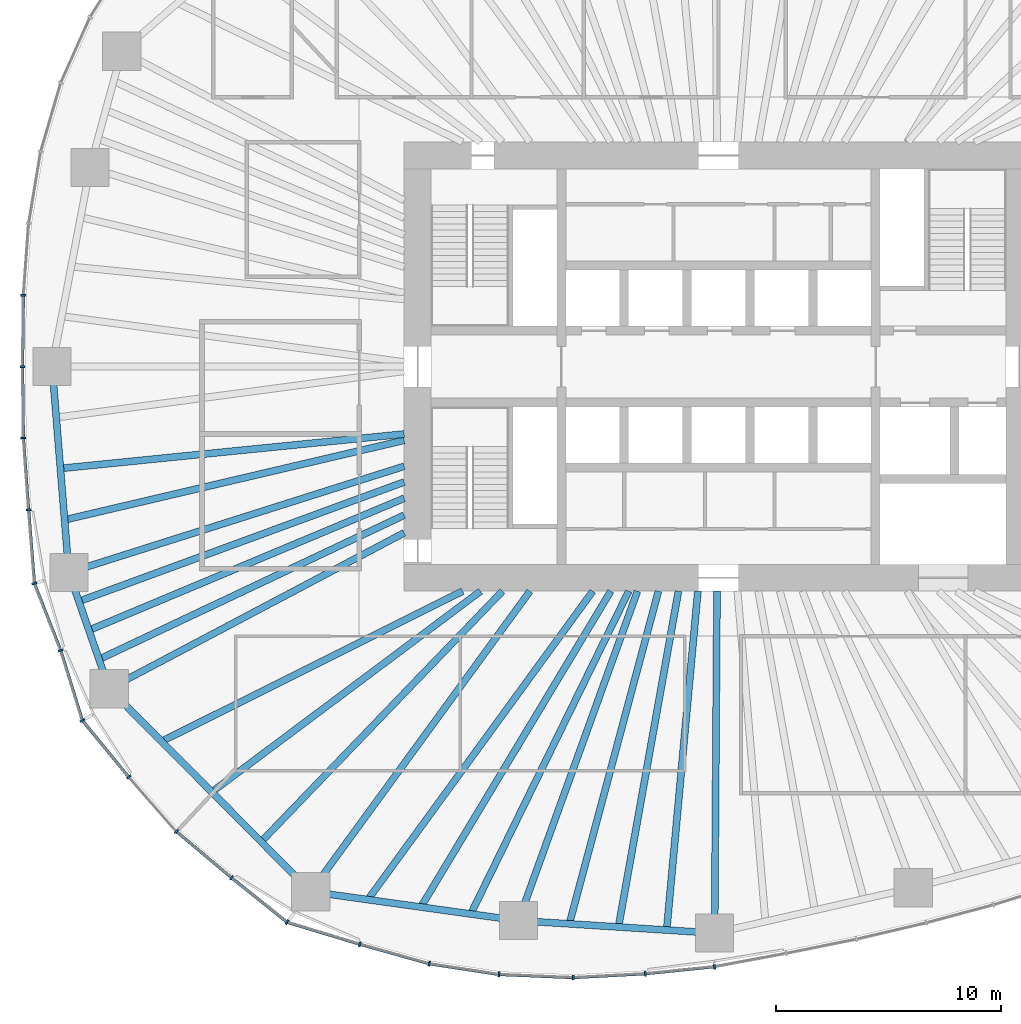
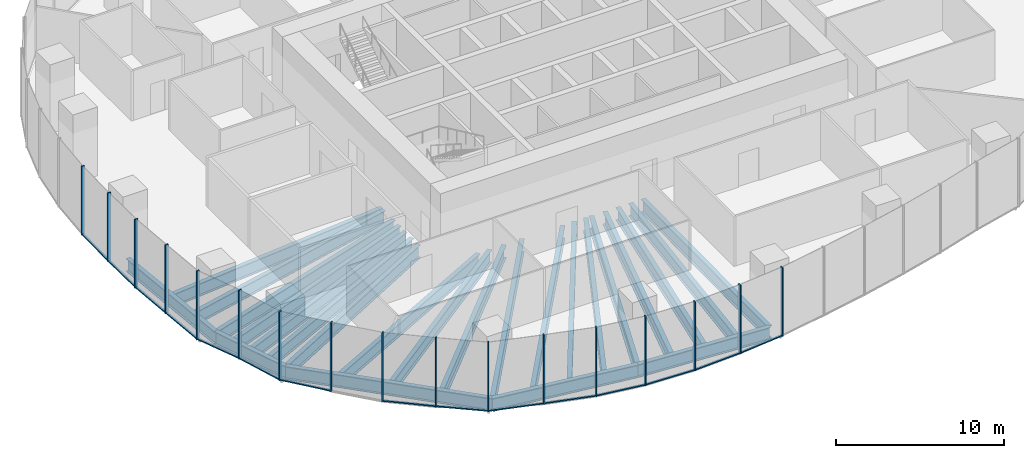
# One storey, part 2 of 20: 32 members, 24 beams, 7 elements without a shape of their own.
"""IFC4 building model written with IfcOpenShell, lengths in metres."""

from ifc_helpers import new_model, si_unit, direction, frame, origin, origin_2d, place, context, subcontext, project, spatial, rectangle, i_section, extrude, material, material_profile, profile_set, type_object, element, aggregate, save


model = new_model("IFC4")

# Units and contexts
model_context = context("Model", 3, precision=1e-05, world=origin(), true_north=direction((0.0, 1.0)))
body_context = subcontext(model_context, "Body", "Model", "MODEL_VIEW")
ifc_project = project(units=[si_unit("LENGTHUNIT", "METRE"), si_unit("AREAUNIT", "SQUARE_METRE"), si_unit("VOLUMEUNIT", "CUBIC_METRE"), si_unit("PLANEANGLEUNIT", "RADIAN"), si_unit("MASSUNIT", "GRAM", prefix="KILO")], contexts=[model_context])

# Site, building, storey
site_placement = place(None, origin())
site = spatial("IfcSite", under=ifc_project, at=site_placement, CompositionType="ELEMENT")
building_placement = place(site_placement, origin())
building = spatial("IfcBuilding", under=site, at=building_placement, Name="Ghaith Harvest Tower", CompositionType="ELEMENT")
storey_placement = place(building_placement, frame((0.0, 0.0, 85.0)))
storey = spatial("IfcBuildingStorey", under=building, at=storey_placement, Name="L17", CompositionType="ELEMENT", Elevation=85.0)

# Curtain wall, member
ifc_material_1 = material(Name="Black anodised aluminium and fritted glass", Category="aluminium")
curtain_wall_type = type_object("IfcCurtainWallType", Name="CW-F CURTAIN WALL", PredefinedType="NOTDEFINED", material=ifc_material_1)
curtain_wall_1_placement = place(storey_placement, origin())
curtain_wall_1 = element("IfcCurtainWall", 1, at=curtain_wall_1_placement, inside=storey, type_object=curtain_wall_type, Name="Curtain wall CW-F bay 10 L17", PredefinedType="NOTDEFINED")
ifc_material_2 = material(Name="Aluminium, black anodised", Category="aluminium")
ifc_material_profile_1 = material_profile(ifc_material_2, rectangle(XDim=0.080078125, YDim=0.219970703125, at=origin_2d()), Name="CW-F MULLION 80x220")
ifc_profile_set_1 = profile_set([ifc_material_profile_1], Name="Aluminium, black anodised")
member_type_1 = type_object("IfcMemberType", Name="CW-F MULLION 80x220", PredefinedType="MULLION", material=ifc_profile_set_1)
member_1_placement = place(storey_placement, frame((-30.95654296875, 3.177978515625, 0.0), z_axis=(0.0, 0.0, 1.0), x_axis=(-0.042427007767, -0.999099569118, 0.0)))
member_1 = element("IfcMember", 2, at=member_1_placement, type_object=member_type_1, Name="CW-F mullion 3 bay 10 L17", PredefinedType="MULLION", context=body_context, shape_type="SweptSolid", body=[
    extrude(rectangle(XDim=0.080078125, YDim=0.219970703125, at=origin_2d()), origin(), (0.0, 0.0, 1.0), 5.0),
])

# Curtain wall, members
curtain_wall_2_placement = place(storey_placement, origin())
curtain_wall_2 = element("IfcCurtainWall", 3, at=curtain_wall_2_placement, inside=storey, type_object=curtain_wall_type, Name="Curtain wall CW-F bay 11 L17", PredefinedType="NOTDEFINED")
member_2_placement = place(storey_placement, frame((-30.9951171875, 0.0, 0.0), z_axis=(0.0, 0.0, 1.0), x_axis=(1.4e-10, -1.0, 0.0)))
member_2 = element("IfcMember", 4, at=member_2_placement, type_object=member_type_1, Name="CW-F mullion 1 bay 11 L17", PredefinedType="MULLION", context=body_context, shape_type="SweptSolid", body=[
    extrude(rectangle(XDim=0.080078125, YDim=0.219970703125, at=origin_2d()), origin(), (0.0, 0.0, 1.0), 5.0),
])
member_3_placement = place(storey_placement, frame((-30.95654296875, -3.177978515625, 0.0), z_axis=(0.0, 0.0, 1.0), x_axis=(0.042427007872, -0.999099569114, 0.0)))
member_3 = element("IfcMember", 5, at=member_3_placement, type_object=member_type_1, Name="CW-F mullion 2 bay 11 L17", PredefinedType="MULLION", context=body_context, shape_type="SweptSolid", body=[
    extrude(rectangle(XDim=0.080078125, YDim=0.219970703125, at=origin_2d()), origin(), (0.0, 0.0, 1.0), 5.0),
])
member_4_placement = place(storey_placement, frame((-30.724365234375, -6.37548828125, 0.0), z_axis=(0.0, 0.0, 1.0), x_axis=(0.07568573288, -0.997131721408, 0.0)))
member_4 = element("IfcMember", 6, at=member_4_placement, type_object=member_type_1, Name="CW-F mullion 3 bay 11 L17", PredefinedType="MULLION", context=body_context, shape_type="SweptSolid", body=[
    extrude(rectangle(XDim=0.080078125, YDim=0.219970703125, at=origin_2d()), origin(), (0.0, 0.0, 1.0), 5.0),
])

curtain_wall_3_placement = place(storey_placement, origin())
curtain_wall_3 = element("IfcCurtainWall", 7, at=curtain_wall_3_placement, inside=storey, type_object=curtain_wall_type, Name="Curtain wall CW-F bay 12 L17", PredefinedType="NOTDEFINED")
member_5_placement = place(storey_placement, frame((-30.46484375, -9.65478515625, 0.0), z_axis=(0.0, 0.0, 1.0), x_axis=(0.222967363441, -0.974825910017, 0.0)))
member_5 = element("IfcMember", 8, at=member_5_placement, type_object=member_type_1, Name="CW-F mullion 1 bay 12 L17", PredefinedType="MULLION", context=body_context, shape_type="SweptSolid", body=[
    extrude(rectangle(XDim=0.080078125, YDim=0.219970703125, at=origin_2d()), origin(), (0.0, 0.0, 1.0), 5.0),
])
member_6_placement = place(storey_placement, frame((-29.29248046875, -12.63525390625, 0.0), z_axis=(0.0, 0.0, 1.0), x_axis=(0.330700518925, -0.943735750506, 0.0)))
member_6 = element("IfcMember", 9, at=member_6_placement, type_object=member_type_1, Name="CW-F mullion 2 bay 12 L17", PredefinedType="MULLION", context=body_context, shape_type="SweptSolid", body=[
    extrude(rectangle(XDim=0.080078125, YDim=0.219970703125, at=origin_2d()), origin(), (0.0, 0.0, 1.0), 5.0),
])
member_7_placement = place(storey_placement, frame((-28.3271484375, -15.7548828125, 0.0), z_axis=(0.0, 0.0, 1.0), x_axis=(0.473265082527, -0.880920065421, 0.0)))
member_7 = element("IfcMember", 10, at=member_7_placement, type_object=member_type_1, Name="CW-F mullion 3 bay 12 L17", PredefinedType="MULLION", context=body_context, shape_type="SweptSolid", body=[
    extrude(rectangle(XDim=0.080078125, YDim=0.219970703125, at=origin_2d()), origin(), (0.0, 0.0, 1.0), 5.0),
])

curtain_wall_4_placement = place(storey_placement, origin())
curtain_wall_4 = element("IfcCurtainWall", 11, at=curtain_wall_4_placement, inside=storey, type_object=curtain_wall_type, Name="Curtain wall CW-F bay 13 L17", PredefinedType="NOTDEFINED")
member_8_placement = place(storey_placement, frame((-26.26318359375, -18.274169921875, 0.0), z_axis=(0.0, 0.0, 1.0), x_axis=(0.646523538748, -0.762894038412, 0.0)))
member_8 = element("IfcMember", 12, at=member_8_placement, type_object=member_type_1, Name="CW-F mullion 1 bay 13 L17", PredefinedType="MULLION", context=body_context, shape_type="SweptSolid", body=[
    extrude(rectangle(XDim=0.080078125, YDim=0.219970703125, at=origin_2d()), origin(), (0.0, 0.0, 1.0), 5.0),
])
member_9_placement = place(storey_placement, frame((-24.139404296875, -20.696533203125, 0.0), z_axis=(0.0, 0.0, 1.0), x_axis=(0.714663248554, -0.699468684907, 0.0)))
member_9 = element("IfcMember", 13, at=member_9_placement, type_object=member_type_1, Name="CW-F mullion 2 bay 13 L17", PredefinedType="MULLION", context=body_context, shape_type="SweptSolid", body=[
    extrude(rectangle(XDim=0.080078125, YDim=0.219970703125, at=origin_2d()), origin(), (0.0, 0.0, 1.0), 5.0),
])
member_10_placement = place(storey_placement, frame((-21.681640625, -22.758056640625, 0.0), z_axis=(0.0, 0.0, 1.0), x_axis=(0.773138721505, -0.634236956751, 0.0)))
member_10 = element("IfcMember", 14, at=member_10_placement, type_object=member_type_1, Name="CW-F mullion 3 bay 13 L17", PredefinedType="MULLION", context=body_context, shape_type="SweptSolid", body=[
    extrude(rectangle(XDim=0.080078125, YDim=0.219970703125, at=origin_2d()), origin(), (0.0, 0.0, 1.0), 5.0),
])

curtain_wall_5_placement = place(storey_placement, origin())
curtain_wall_5 = element("IfcCurtainWall", 15, at=curtain_wall_5_placement, inside=storey, type_object=curtain_wall_type, Name="Curtain wall CW-F bay 14 L17", PredefinedType="NOTDEFINED")
member_11_placement = place(storey_placement, frame((-19.212646484375, -24.73828125, 0.0), z_axis=(0.0, 0.0, 1.0), x_axis=(0.887912253774, -0.460012858079, 0.0)))
member_11 = element("IfcMember", 16, at=member_11_placement, type_object=member_type_1, Name="CW-F mullion 1 bay 14 L17", PredefinedType="MULLION", context=body_context, shape_type="SweptSolid", body=[
    extrude(rectangle(XDim=0.080078125, YDim=0.219970703125, at=origin_2d()), origin(), (0.0, 0.0, 1.0), 5.0),
])
member_12_placement = place(storey_placement, frame((-15.97119140625, -25.716552734375, 0.0), z_axis=(0.0, 0.0, 1.0), x_axis=(0.960008876539, -0.279969564356, 0.0)))
member_12 = element("IfcMember", 17, at=member_12_placement, type_object=member_type_1, Name="CW-F mullion 2 bay 14 L17", PredefinedType="MULLION", context=body_context, shape_type="SweptSolid", body=[
    extrude(rectangle(XDim=0.080078125, YDim=0.219970703125, at=origin_2d()), origin(), (0.0, 0.0, 1.0), 5.0),
])
member_13_placement = place(storey_placement, frame((-12.880615234375, -26.5849609375, 0.0), z_axis=(0.0, 0.0, 1.0), x_axis=(0.977207016024, -0.212288595628, 0.0)))
member_13 = element("IfcMember", 18, at=member_13_placement, type_object=member_type_1, Name="CW-F mullion 3 bay 14 L17", PredefinedType="MULLION", context=body_context, shape_type="SweptSolid", body=[
    extrude(rectangle(XDim=0.080078125, YDim=0.219970703125, at=origin_2d()), origin(), (0.0, 0.0, 1.0), 5.0),
])

curtain_wall_6_placement = place(storey_placement, origin())
curtain_wall_6 = element("IfcCurtainWall", 19, at=curtain_wall_6_placement, inside=storey, type_object=curtain_wall_type, Name="Curtain wall CW-F bay 15 L17", PredefinedType="NOTDEFINED")
member_14_placement = place(storey_placement, frame((-9.7744140625, -27.062744140625, 0.0), z_axis=(0.0, 0.0, 1.0), x_axis=(0.995408459417, -0.095718331168, 0.0)))
member_14 = element("IfcMember", 20, at=member_14_placement, type_object=member_type_1, Name="CW-F mullion 1 bay 15 L17", PredefinedType="MULLION", context=body_context, shape_type="SweptSolid", body=[
    extrude(rectangle(XDim=0.080078125, YDim=0.219970703125, at=origin_2d()), origin(), (0.0, 0.0, 1.0), 5.0),
])
member_15_placement = place(storey_placement, frame((-6.465087890625, -27.20166015625, 0.0), z_axis=(0.0, 0.0, 1.0), x_axis=(0.999987206373, 0.005058368251, 0.0)))
member_15 = element("IfcMember", 21, at=member_15_placement, type_object=member_type_1, Name="CW-F mullion 2 bay 15 L17", PredefinedType="MULLION", context=body_context, shape_type="SweptSolid", body=[
    extrude(rectangle(XDim=0.080078125, YDim=0.219970703125, at=origin_2d()), origin(), (0.0, 0.0, 1.0), 5.0),
])
member_16_placement = place(storey_placement, frame((-3.261962890625, -27.02978515625, 0.0), z_axis=(0.0, 0.0, 1.0), x_axis=(0.997037536276, 0.07691652135, 0.0)))
member_16 = element("IfcMember", 22, at=member_16_placement, type_object=member_type_1, Name="CW-F mullion 3 bay 15 L17", PredefinedType="MULLION", context=body_context, shape_type="SweptSolid", body=[
    extrude(rectangle(XDim=0.080078125, YDim=0.219970703125, at=origin_2d()), origin(), (0.0, 0.0, 1.0), 5.0),
])

# Curtain wall, member
curtain_wall_7_placement = place(storey_placement, origin())
curtain_wall_7 = element("IfcCurtainWall", 23, at=curtain_wall_7_placement, inside=storey, type_object=curtain_wall_type, Name="Curtain wall CW-F bay 16 L17", PredefinedType="NOTDEFINED")
member_17_placement = place(storey_placement, frame((-0.182861328125, -26.717041015625, 0.0), z_axis=(0.0, 0.0, 1.0), x_axis=(0.98971187144, 0.143074845907, 0.0)))
member_17 = element("IfcMember", 24, at=member_17_placement, type_object=member_type_1, Name="CW-F mullion 1 bay 16 L17", PredefinedType="MULLION", context=body_context, shape_type="SweptSolid", body=[
    extrude(rectangle(XDim=0.080078125, YDim=0.219970703125, at=origin_2d()), origin(), (0.0, 0.0, 1.0), 5.0),
])
aggregate(curtain_wall_7, [member_17])

# Member
ifc_material_3 = material(Name="Aluminium, black anodised", Category="aluminium")
ifc_material_profile_2 = material_profile(ifc_material_3, rectangle(XDim=0.139892578125, YDim=0.080078125, at=origin_2d()), Name="CW-F TRANSOM 140x80")
ifc_profile_set_2 = profile_set([ifc_material_profile_2], Name="Aluminium, black anodised")
member_type_2 = type_object("IfcMemberType", Name="CW-F TRANSOM 140x80", PredefinedType="USERDEFINED", material=ifc_profile_set_2)
member_18_placement = place(storey_placement, frame((-30.95703125, 3.137939453125, 0.0400390625), z_axis=(-0.012135602457, -0.999926360865, 0.0), x_axis=(0.999926360865, -0.012135602457, 0.0)))
member_18 = element("IfcMember", 25, at=member_18_placement, type_object=member_type_2, Name="CW-F transom 3 bay 10 L17", ObjectType="TRANSOM", PredefinedType="USERDEFINED", context=body_context, shape_type="SweptSolid", body=[
    extrude(rectangle(XDim=0.139892578125, YDim=0.080078125, at=origin_2d()), origin(), (0.0, 0.0, 1.0), 3.09814453125),
])

aggregate(curtain_wall_1, [member_1, member_18])

member_19_placement = place(storey_placement, frame((-30.99462890625, -0.0400390625, 0.0400390625), z_axis=(0.012135602457, -0.999926360865, 0.0), x_axis=(0.999926360865, 0.012135602457, 0.0)))
member_19 = element("IfcMember", 26, at=member_19_placement, type_object=member_type_2, Name="CW-F transom 1 bay 11 L17", ObjectType="TRANSOM", PredefinedType="USERDEFINED", context=body_context, shape_type="SweptSolid", body=[
    extrude(rectangle(XDim=0.139892578125, YDim=0.080078125, at=origin_2d()), origin(), (0.0, 0.0, 1.0), 3.09814453125),
])

member_20_placement = place(storey_placement, frame((-30.95361328125, -3.2177734375, 0.0400390625), z_axis=(0.072473547161, -0.997370334912, 0.0), x_axis=(0.997370334912, 0.072473547161, 0.0)))
member_20 = element("IfcMember", 27, at=member_20_placement, type_object=member_type_2, Name="CW-F transom 2 bay 11 L17", ObjectType="TRANSOM", PredefinedType="USERDEFINED", context=body_context, shape_type="SweptSolid", body=[
    extrude(rectangle(XDim=0.139892578125, YDim=0.080078125, at=origin_2d()), origin(), (0.0, 0.0, 1.0), 3.126220703125),
])

member_21_placement = place(storey_placement, frame((-30.72119140625, -6.415283203125, 0.0400390625), z_axis=(0.078877539502, -0.996884313129, 0.0), x_axis=(0.996884313129, 0.078877539502, 0.0)))
member_21 = element("IfcMember", 28, at=member_21_placement, type_object=member_type_2, Name="CW-F transom 3 bay 11 L17", ObjectType="TRANSOM", PredefinedType="USERDEFINED", context=body_context, shape_type="SweptSolid", body=[
    extrude(rectangle(XDim=0.139892578125, YDim=0.080078125, at=origin_2d()), origin(), (0.0, 0.0, 1.0), 3.209716796875),
])

aggregate(curtain_wall_2, [member_2, member_19, member_3, member_20, member_4, member_21])

member_22_placement = place(storey_placement, frame((-30.4501953125, -9.692138671875, 0.0400390625), z_axis=(0.366046617161, -0.93059651518, 0.0), x_axis=(0.93059651518, 0.366046617161, 0.0)))
member_22 = element("IfcMember", 29, at=member_22_placement, type_object=member_type_2, Name="CW-F transom 1 bay 12 L17", ObjectType="TRANSOM", PredefinedType="USERDEFINED", context=body_context, shape_type="SweptSolid", body=[
    extrude(rectangle(XDim=0.139892578125, YDim=0.080078125, at=origin_2d()), origin(), (0.0, 0.0, 1.0), 3.122802734375),
])

member_23_placement = place(storey_placement, frame((-29.28076171875, -12.673583984375, 0.0400390625), z_axis=(0.295598800908, -0.955312173534, 0.0), x_axis=(0.955312173534, 0.295598800908, 0.0)))
member_23 = element("IfcMember", 30, at=member_23_placement, type_object=member_type_2, Name="CW-F transom 2 bay 12 L17", ObjectType="TRANSOM", PredefinedType="USERDEFINED", context=body_context, shape_type="SweptSolid", body=[
    extrude(rectangle(XDim=0.139892578125, YDim=0.080078125, at=origin_2d()), origin(), (0.0, 0.0, 1.0), 3.185546875),
])

member_24_placement = place(storey_placement, frame((-28.302001953125, -15.785888671875, 0.0400390625), z_axis=(0.633790042943, -0.773505126982, 0.0), x_axis=(0.773505126982, 0.633790042943, 0.0)))
member_24 = element("IfcMember", 31, at=member_24_placement, type_object=member_type_2, Name="CW-F transom 3 bay 12 L17", ObjectType="TRANSOM", PredefinedType="USERDEFINED", context=body_context, shape_type="SweptSolid", body=[
    extrude(rectangle(XDim=0.139892578125, YDim=0.080078125, at=origin_2d()), origin(), (0.0, 0.0, 1.0), 3.1767578125),
])

aggregate(curtain_wall_3, [member_5, member_22, member_6, member_23, member_7, member_24])

member_25_placement = place(storey_placement, frame((-24.10888671875, -20.72216796875, 0.0400390625), z_axis=(0.766144434184, -0.642668426149, 0.0), x_axis=(0.642668426149, 0.766144434184, 0.0)))
member_25 = element("IfcMember", 32, at=member_25_placement, type_object=member_type_2, Name="CW-F transom 2 bay 13 L17", ObjectType="TRANSOM", PredefinedType="USERDEFINED", context=body_context, shape_type="SweptSolid", body=[
    extrude(rectangle(XDim=0.139892578125, YDim=0.080078125, at=origin_2d()), origin(), (0.0, 0.0, 1.0), 3.1279296875),
])

member_26_placement = place(storey_placement, frame((-21.650634765625, -22.783203125, 0.0400390625), z_axis=(0.780181223133, -0.625553562112, 0.0), x_axis=(0.625553562112, 0.780181223133, 0.0)))
member_26 = element("IfcMember", 33, at=member_26_placement, type_object=member_type_2, Name="CW-F transom 3 bay 13 L17", ObjectType="TRANSOM", PredefinedType="USERDEFINED", context=body_context, shape_type="SweptSolid", body=[
    extrude(rectangle(XDim=0.139892578125, YDim=0.080078125, at=origin_2d()), origin(), (0.0, 0.0, 1.0), 3.085205078125),
])

aggregate(curtain_wall_4, [member_8, member_9, member_25, member_10, member_26])

member_27_placement = place(storey_placement, frame((-19.17431640625, -24.749755859375, 0.0400390625), z_axis=(0.957335035376, -0.288980328121, 0.0), x_axis=(0.288980328121, 0.957335035376, 0.0)))
member_27 = element("IfcMember", 34, at=member_27_placement, type_object=member_type_2, Name="CW-F transom 1 bay 14 L17", ObjectType="TRANSOM", PredefinedType="USERDEFINED", context=body_context, shape_type="SweptSolid", body=[
    extrude(rectangle(XDim=0.139892578125, YDim=0.080078125, at=origin_2d()), origin(), (0.0, 0.0, 1.0), 3.305908203125),
])

member_28_placement = place(storey_placement, frame((-15.9326171875, -25.727294921875, 0.0400390625), z_axis=(0.962727128991, -0.270474536888, 0.0), x_axis=(0.270474536888, 0.962727128991, 0.0)))
member_28 = element("IfcMember", 35, at=member_28_placement, type_object=member_type_2, Name="CW-F transom 2 bay 14 L17", ObjectType="TRANSOM", PredefinedType="USERDEFINED", context=body_context, shape_type="SweptSolid", body=[
    extrude(rectangle(XDim=0.139892578125, YDim=0.080078125, at=origin_2d()), origin(), (0.0, 0.0, 1.0), 3.13037109375),
])

member_29_placement = place(storey_placement, frame((-12.841064453125, -26.591064453125, 0.0400390625), z_axis=(0.988378147633, -0.152015253451, 0.0), x_axis=(0.152015253451, 0.988378147633, 0.0)))
member_29 = element("IfcMember", 36, at=member_29_placement, type_object=member_type_2, Name="CW-F transom 3 bay 14 L17", ObjectType="TRANSOM", PredefinedType="USERDEFINED", context=body_context, shape_type="SweptSolid", body=[
    extrude(rectangle(XDim=0.139892578125, YDim=0.080078125, at=origin_2d()), origin(), (0.0, 0.0, 1.0), 3.062744140625),
])

aggregate(curtain_wall_5, [member_11, member_27, member_12, member_28, member_13, member_29])

member_30_placement = place(storey_placement, frame((-9.734375, -27.064453125, 0.0400390625), z_axis=(0.999117688764, -0.04199814281, 0.0), x_axis=(0.04199814281, 0.999117688764, 0.0)))
member_30 = element("IfcMember", 37, at=member_30_placement, type_object=member_type_2, Name="CW-F transom 1 bay 15 L17", ObjectType="TRANSOM", PredefinedType="USERDEFINED", context=body_context, shape_type="SweptSolid", body=[
    extrude(rectangle(XDim=0.139892578125, YDim=0.080078125, at=origin_2d()), origin(), (0.0, 0.0, 1.0), 3.232177734375),
])

member_31_placement = place(storey_placement, frame((-6.42529296875, -27.19970703125, 0.0400390625), z_axis=(0.99856142387, 0.053619798202, 0.0), x_axis=(-0.053619798202, 0.99856142387, 0.0)))
member_31 = element("IfcMember", 38, at=member_31_placement, type_object=member_type_2, Name="CW-F transom 2 bay 15 L17", ObjectType="TRANSOM", PredefinedType="USERDEFINED", context=body_context, shape_type="SweptSolid", body=[
    extrude(rectangle(XDim=0.139892578125, YDim=0.080078125, at=origin_2d()), origin(), (0.0, 0.0, 1.0), 3.1279296875),
])

member_32_placement = place(storey_placement, frame((-3.22216796875, -27.02587890625, 0.0400390625), z_axis=(0.994880435036, 0.101058992587, 0.0), x_axis=(-0.101058992587, 0.994880435036, 0.0)))
member_32 = element("IfcMember", 39, at=member_32_placement, type_object=member_type_2, Name="CW-F transom 3 bay 15 L17", ObjectType="TRANSOM", PredefinedType="USERDEFINED", context=body_context, shape_type="SweptSolid", body=[
    extrude(rectangle(XDim=0.139892578125, YDim=0.080078125, at=origin_2d()), origin(), (0.0, 0.0, 1.0), 3.014892578125),
])

aggregate(curtain_wall_6, [member_14, member_30, member_15, member_31, member_16, member_32])

# Beams
ifc_material_4 = material(Name="Steel ASTM A992 Grade 50", Category="steel")
ifc_material_profile_3 = material_profile(ifc_material_4, i_section(OverallWidth=0.306884765625, OverallDepth=0.94189453125, WebThickness=0.022216796875, FlangeThickness=0.039794921875, at=origin_2d()), Name="W920X345")
ifc_profile_set_3 = profile_set([ifc_material_profile_3], Name="Steel ASTM A992 Grade 50")
beam_type_1 = type_object("IfcBeamType", Name="E920-345 W920X345", PredefinedType="SPANDREL", material=ifc_profile_set_3)
beam_1_placement = place(storey_placement, frame((-29.675048828125, 0.0, -0.6708984375), z_axis=(0.081006863421, -0.996713543642, 0.0), x_axis=(0.996713543642, 0.081006863421, 0.0)))
element("IfcBeam", 40, at=beam_1_placement, inside=storey, type_object=beam_type_1, Name="Edge beam E11 L17", PredefinedType="SPANDREL", context=body_context, shape_type="SweptSolid", body=[
    extrude(i_section(OverallWidth=0.306884765625, OverallDepth=0.94189453125, WebThickness=0.022216796875, FlangeThickness=0.039794921875, at=origin_2d()), origin(), (0.0, 0.0, 1.0), 9.1982421875),
])
beam_2_placement = place(storey_placement, frame((-28.929931640625, -9.16796875, -0.6708984375), z_axis=(0.328278550319, -0.944580961803, 0.0), x_axis=(0.944580961803, 0.328278550319, 0.0)))
element("IfcBeam", 41, at=beam_2_placement, inside=storey, type_object=beam_type_1, Name="Edge beam E12 L17", PredefinedType="SPANDREL", context=body_context, shape_type="SweptSolid", body=[
    extrude(i_section(OverallWidth=0.306884765625, OverallDepth=0.94189453125, WebThickness=0.022216796875, FlangeThickness=0.039794921875, at=origin_2d()), origin(), (0.0, 0.0, 1.0), 5.4765625),
])
beam_3_placement = place(storey_placement, frame((-27.132080078125, -14.341064453125, -0.6708984375), z_axis=(0.704562513714, -0.709641926798, 0.0), x_axis=(0.709641926798, 0.704562513714, 0.0)))
element("IfcBeam", 42, at=beam_3_placement, inside=storey, type_object=beam_type_1, Name="Edge beam E13 L17", PredefinedType="SPANDREL", context=body_context, shape_type="SweptSolid", body=[
    extrude(i_section(OverallWidth=0.306884765625, OverallDepth=0.94189453125, WebThickness=0.022216796875, FlangeThickness=0.039794921875, at=origin_2d()), origin(), (0.0, 0.0, 1.0), 12.737060546875),
])
beam_4_placement = place(storey_placement, frame((-18.157958984375, -23.3798828125, -0.6708984375), z_axis=(0.990441143901, -0.137936001352, 0.0), x_axis=(0.137936001352, 0.990441143901, 0.0)))
element("IfcBeam", 43, at=beam_4_placement, inside=storey, type_object=beam_type_1, Name="Edge beam E14 L17", PredefinedType="SPANDREL", context=body_context, shape_type="SweptSolid", body=[
    extrude(i_section(OverallWidth=0.306884765625, OverallDepth=0.94189453125, WebThickness=0.022216796875, FlangeThickness=0.039794921875, at=origin_2d()), origin(), (0.0, 0.0, 1.0), 9.33837890625),
])
beam_5_placement = place(storey_placement, frame((-8.908935546875, -24.66796875, -0.6708984375), z_axis=(0.99797963184, -0.063534671101, 0.0), x_axis=(0.063534671101, 0.99797963184, 0.0)))
element("IfcBeam", 44, at=beam_5_placement, inside=storey, type_object=beam_type_1, Name="Edge beam E15 L17", PredefinedType="SPANDREL", context=body_context, shape_type="SweptSolid", body=[
    extrude(i_section(OverallWidth=0.306884765625, OverallDepth=0.94189453125, WebThickness=0.022216796875, FlangeThickness=0.039794921875, at=origin_2d()), origin(), (0.0, 0.0, 1.0), 8.75341796875),
])
ifc_material_5 = material(Name="Steel ASTM A992 Grade 50", Category="steel")
ifc_material_profile_4 = material_profile(ifc_material_5, i_section(OverallWidth=0.306884765625, OverallDepth=0.94189453125, WebThickness=0.022216796875, FlangeThickness=0.039794921875, at=origin_2d()), Name="W920X345")
ifc_profile_set_4 = profile_set([ifc_material_profile_4], Name="Steel ASTM A992 Grade 50")
beam_type_2 = type_object("IfcBeamType", Name="G920-345 W920X345", PredefinedType="BEAM", material=ifc_profile_set_4)
beam_6_placement = place(storey_placement, frame((-14.0, -4.43701171875, -0.6708984375), z_axis=(-0.953284407194, -0.302074227636, 0.0), x_axis=(0.302074227636, -0.953284407194, 0.0)))
element("IfcBeam", 45, at=beam_6_placement, inside=storey, type_object=beam_type_2, Name="Radial girder G12 L17", PredefinedType="BEAM", context=body_context, shape_type="SweptSolid", body=[
    extrude(i_section(OverallWidth=0.306884765625, OverallDepth=0.94189453125, WebThickness=0.022216796875, FlangeThickness=0.039794921875, at=origin_2d()), origin(), (0.0, 0.0, 1.0), 15.66162109375),
])
beam_7_placement = place(storey_placement, frame((-14.0, -7.39990234375, -0.6708984375), z_axis=(-0.884097171481, -0.467303104397, 0.0), x_axis=(0.467303104397, -0.884097171481, 0.0)))
element("IfcBeam", 46, at=beam_7_placement, inside=storey, type_object=beam_type_2, Name="Radial girder G13 L17", PredefinedType="BEAM", context=body_context, shape_type="SweptSolid", body=[
    extrude(i_section(OverallWidth=0.306884765625, OverallDepth=0.94189453125, WebThickness=0.022216796875, FlangeThickness=0.039794921875, at=origin_2d()), origin(), (0.0, 0.0, 1.0), 14.853759765625),
])
beam_8_placement = place(storey_placement, frame((-8.39990234375, -10.0, -0.6708984375), z_axis=(-0.589246749374, -0.807953134997, 0.0), x_axis=(0.807953134997, -0.589246749374, 0.0)))
element("IfcBeam", 47, at=beam_8_placement, inside=storey, type_object=beam_type_2, Name="Radial girder G14 L17", PredefinedType="BEAM", context=body_context, shape_type="SweptSolid", body=[
    extrude(i_section(OverallWidth=0.306884765625, OverallDepth=0.94189453125, WebThickness=0.022216796875, FlangeThickness=0.039794921875, at=origin_2d()), origin(), (0.0, 0.0, 1.0), 16.560302734375),
])
beam_9_placement = place(storey_placement, frame((-3.61181640625, -10.0, -0.6708984375), z_axis=(-0.339664467784, -0.940546675782, 0.0), x_axis=(0.940546675782, -0.339664467784, 0.0)))
element("IfcBeam", 48, at=beam_9_placement, inside=storey, type_object=beam_type_2, Name="Radial girder G15 L17", PredefinedType="BEAM", context=body_context, shape_type="SweptSolid", body=[
    extrude(i_section(OverallWidth=0.306884765625, OverallDepth=0.94189453125, WebThickness=0.022216796875, FlangeThickness=0.039794921875, at=origin_2d()), origin(), (0.0, 0.0, 1.0), 15.59521484375),
])
beam_10_placement = place(storey_placement, frame((-0.068359375, -10.0, -0.6708984375), z_axis=(-0.006879467722, -0.999976336182, 0.0), x_axis=(0.999976336182, -0.006879467722, 0.0)))
element("IfcBeam", 49, at=beam_10_placement, inside=storey, type_object=beam_type_2, Name="Radial girder G16 L17", PredefinedType="BEAM", context=body_context, shape_type="SweptSolid", body=[
    extrude(i_section(OverallWidth=0.306884765625, OverallDepth=0.94189453125, WebThickness=0.022216796875, FlangeThickness=0.039794921875, at=origin_2d()), origin(), (0.0, 0.0, 1.0), 15.224365234375),
])
ifc_material_6 = material(Name="Steel ASTM A992 Grade 50", Category="steel")
ifc_material_profile_5 = material_profile(ifc_material_6, i_section(OverallWidth=0.31005859375, OverallDepth=0.927001953125, WebThickness=0.019287109375, FlangeThickness=0.031982421875, at=origin_2d()), Name="W920X289")
ifc_profile_set_5 = profile_set([ifc_material_profile_5], Name="Steel ASTM A992 Grade 50")
beam_type_3 = type_object("IfcBeamType", Name="J920-289 W920X289", PredefinedType="JOIST", material=ifc_profile_set_5)
beam_11_placement = place(storey_placement, frame((-14.0, -3.0, -0.66357421875), z_axis=(-0.995023982133, -0.099635711366, 0.0), x_axis=(0.099635711366, -0.995023982133, 0.0)))
element("IfcBeam", 50, at=beam_11_placement, inside=storey, type_object=beam_type_3, Name="Joist J11.2 L17", PredefinedType="JOIST", context=body_context, shape_type="SweptSolid", body=[
    extrude(i_section(OverallWidth=0.31005859375, OverallDepth=0.927001953125, WebThickness=0.019287109375, FlangeThickness=0.031982421875, at=origin_2d()), origin(), (0.0, 0.0, 1.0), 15.38330078125),
])
beam_12_placement = place(storey_placement, frame((-14.0, -3.280517578125, -0.66357421875), z_axis=(-0.973622531394, -0.228164778969, 0.0), x_axis=(0.228164778969, -0.973622531394, 0.0)))
element("IfcBeam", 51, at=beam_12_placement, inside=storey, type_object=beam_type_3, Name="Joist J11.3 L17", PredefinedType="JOIST", context=body_context, shape_type="SweptSolid", body=[
    extrude(i_section(OverallWidth=0.31005859375, OverallDepth=0.927001953125, WebThickness=0.019287109375, FlangeThickness=0.031982421875, at=origin_2d()), origin(), (0.0, 0.0, 1.0), 15.5302734375),
])
beam_13_placement = place(storey_placement, frame((-14.0, -5.137939453125, -0.66357421875), z_axis=(-0.938772784742, -0.344536875569, 0.0), x_axis=(0.344536875569, -0.938772784742, 0.0)))
element("IfcBeam", 52, at=beam_13_placement, inside=storey, type_object=beam_type_3, Name="Joist J12.1 L17", PredefinedType="JOIST", context=body_context, shape_type="SweptSolid", body=[
    extrude(i_section(OverallWidth=0.31005859375, OverallDepth=0.927001953125, WebThickness=0.019287109375, FlangeThickness=0.031982421875, at=origin_2d()), origin(), (0.0, 0.0, 1.0), 15.427734375),
])
beam_14_placement = place(storey_placement, frame((-14.0, -5.862548828125, -0.66357421875), z_axis=(-0.922389547545, -0.386260951404, 0.0), x_axis=(0.386260951404, -0.922389547545, 0.0)))
element("IfcBeam", 53, at=beam_14_placement, inside=storey, type_object=beam_type_3, Name="Joist J12.2 L17", PredefinedType="JOIST", context=body_context, shape_type="SweptSolid", body=[
    extrude(i_section(OverallWidth=0.31005859375, OverallDepth=0.927001953125, WebThickness=0.019287109375, FlangeThickness=0.031982421875, at=origin_2d()), origin(), (0.0, 0.0, 1.0), 15.216796875),
])
beam_15_placement = place(storey_placement, frame((-14.0, -6.614990234375, -0.66357421875), z_axis=(-0.904152605228, -0.427209628239, 0.0), x_axis=(0.427209628239, -0.904152605228, 0.0)))
element("IfcBeam", 54, at=beam_15_placement, inside=storey, type_object=beam_type_3, Name="Joist J12.3 L17", PredefinedType="JOIST", context=body_context, shape_type="SweptSolid", body=[
    extrude(i_section(OverallWidth=0.31005859375, OverallDepth=0.927001953125, WebThickness=0.019287109375, FlangeThickness=0.031982421875, at=origin_2d()), origin(), (0.0, 0.0, 1.0), 15.0263671875),
])
beam_16_placement = place(storey_placement, frame((-11.39990234375, -10.0, -0.66357421875), z_axis=(-0.894746445211, -0.446574516495, 0.0), x_axis=(0.446574516495, -0.894746445211, 0.0)))
element("IfcBeam", 55, at=beam_16_placement, inside=storey, type_object=beam_type_3, Name="Joist J13.1 L17", PredefinedType="JOIST", context=body_context, shape_type="SweptSolid", body=[
    extrude(i_section(OverallWidth=0.31005859375, OverallDepth=0.927001953125, WebThickness=0.019287109375, FlangeThickness=0.031982421875, at=origin_2d()), origin(), (0.0, 0.0, 1.0), 14.977783203125),
])
beam_17_placement = place(storey_placement, frame((-10.60009765625, -10.0, -0.66357421875), z_axis=(-0.800995319048, -0.598670609653, 0.0), x_axis=(0.598670609653, -0.800995319048, 0.0)))
element("IfcBeam", 56, at=beam_17_placement, inside=storey, type_object=beam_type_3, Name="Joist J13.2 L17", PredefinedType="JOIST", context=body_context, shape_type="SweptSolid", body=[
    extrude(i_section(OverallWidth=0.31005859375, OverallDepth=0.927001953125, WebThickness=0.019287109375, FlangeThickness=0.031982421875, at=origin_2d()), origin(), (0.0, 0.0, 1.0), 14.936279296875),
])
beam_18_placement = place(storey_placement, frame((-1.785888671875, -10.0, -0.66357421875), z_axis=(-0.175792307544, -0.984427277461, 0.0), x_axis=(0.984427277461, -0.175792307544, 0.0)))
element("IfcBeam", 57, at=beam_18_placement, inside=storey, type_object=beam_type_3, Name="Joist J15.2 L17", PredefinedType="JOIST", context=body_context, shape_type="SweptSolid", body=[
    extrude(i_section(OverallWidth=0.31005859375, OverallDepth=0.927001953125, WebThickness=0.019287109375, FlangeThickness=0.031982421875, at=origin_2d()), origin(), (0.0, 0.0, 1.0), 15.18798828125),
])
beam_19_placement = place(storey_placement, frame((-0.92041015625, -10.0, -0.66357421875), z_axis=(-0.091651457116, -0.995791147987, 0.0), x_axis=(0.995791147987, -0.091651457116, 0.0)))
element("IfcBeam", 58, at=beam_19_placement, inside=storey, type_object=beam_type_3, Name="Joist J15.3 L17", PredefinedType="JOIST", context=body_context, shape_type="SweptSolid", body=[
    extrude(i_section(OverallWidth=0.31005859375, OverallDepth=0.927001953125, WebThickness=0.019287109375, FlangeThickness=0.031982421875, at=origin_2d()), origin(), (0.0, 0.0, 1.0), 15.151611328125),
])
ifc_material_7 = material(Name="Steel ASTM A992 Grade 50", Category="steel")
ifc_material_profile_6 = material_profile(ifc_material_7, i_section(OverallWidth=0.306884765625, OverallDepth=0.94189453125, WebThickness=0.022216796875, FlangeThickness=0.039794921875, at=origin_2d()), Name="W920X345")
ifc_profile_set_6 = profile_set([ifc_material_profile_6], Name="Steel ASTM A992 Grade 50")
beam_type_4 = type_object("IfcBeamType", Name="J920-345 W920X345", PredefinedType="JOIST", material=ifc_profile_set_6)
beam_20_placement = place(storey_placement, frame((-9.626708984375, -10.0, -0.6708984375), z_axis=(-0.69353836378, -0.720419695709, 0.0), x_axis=(0.720419695709, -0.69353836378, 0.0)))
element("IfcBeam", 59, at=beam_20_placement, inside=storey, type_object=beam_type_4, Name="Joist J13.3 L17", PredefinedType="JOIST", context=body_context, shape_type="SweptSolid", body=[
    extrude(i_section(OverallWidth=0.306884765625, OverallDepth=0.94189453125, WebThickness=0.022216796875, FlangeThickness=0.039794921875, at=origin_2d()), origin(), (0.0, 0.0, 1.0), 15.485107421875),
])
beam_21_placement = place(storey_placement, frame((-5.60009765625, -10.0, -0.6708984375), z_axis=(-0.589160240072, -0.808016219836, 0.0), x_axis=(0.808016219836, -0.589160240072, 0.0)))
element("IfcBeam", 60, at=beam_21_placement, inside=storey, type_object=beam_type_4, Name="Joist J14.1 L17", PredefinedType="JOIST", context=body_context, shape_type="SweptSolid", body=[
    extrude(i_section(OverallWidth=0.306884765625, OverallDepth=0.94189453125, WebThickness=0.022216796875, FlangeThickness=0.039794921875, at=origin_2d()), origin(), (0.0, 0.0, 1.0), 16.997314453125),
])
beam_22_placement = place(storey_placement, frame((-4.800048828125, -10.0, -0.6708984375), z_axis=(-0.515226384897, -0.85705412449, 0.0), x_axis=(0.85705412449, -0.515226384897, 0.0)))
element("IfcBeam", 61, at=beam_22_placement, inside=storey, type_object=beam_type_4, Name="Joist J14.2 L17", PredefinedType="JOIST", context=body_context, shape_type="SweptSolid", body=[
    extrude(i_section(OverallWidth=0.306884765625, OverallDepth=0.94189453125, WebThickness=0.022216796875, FlangeThickness=0.039794921875, at=origin_2d()), origin(), (0.0, 0.0, 1.0), 16.408447265625),
])
beam_23_placement = place(storey_placement, frame((-4.0, -10.0, -0.6708984375), z_axis=(-0.439463806704, -0.898260297797, 0.0), x_axis=(0.898260297797, -0.439463806704, 0.0)))
element("IfcBeam", 62, at=beam_23_placement, inside=storey, type_object=beam_type_4, Name="Joist J14.3 L17", PredefinedType="JOIST", context=body_context, shape_type="SweptSolid", body=[
    extrude(i_section(OverallWidth=0.306884765625, OverallDepth=0.94189453125, WebThickness=0.022216796875, FlangeThickness=0.039794921875, at=origin_2d()), origin(), (0.0, 0.0, 1.0), 16.000244140625),
])
beam_24_placement = place(storey_placement, frame((-2.677978515625, -10.0, -0.6708984375), z_axis=(-0.258693109612, -0.965959561803, 0.0), x_axis=(0.965959561803, -0.258693109612, 0.0)))
element("IfcBeam", 63, at=beam_24_placement, inside=storey, type_object=beam_type_4, Name="Joist J15.1 L17", PredefinedType="JOIST", context=body_context, shape_type="SweptSolid", body=[
    extrude(i_section(OverallWidth=0.306884765625, OverallDepth=0.94189453125, WebThickness=0.022216796875, FlangeThickness=0.039794921875, at=origin_2d()), origin(), (0.0, 0.0, 1.0), 15.333984375),
])

save(model, "model.ifc")
